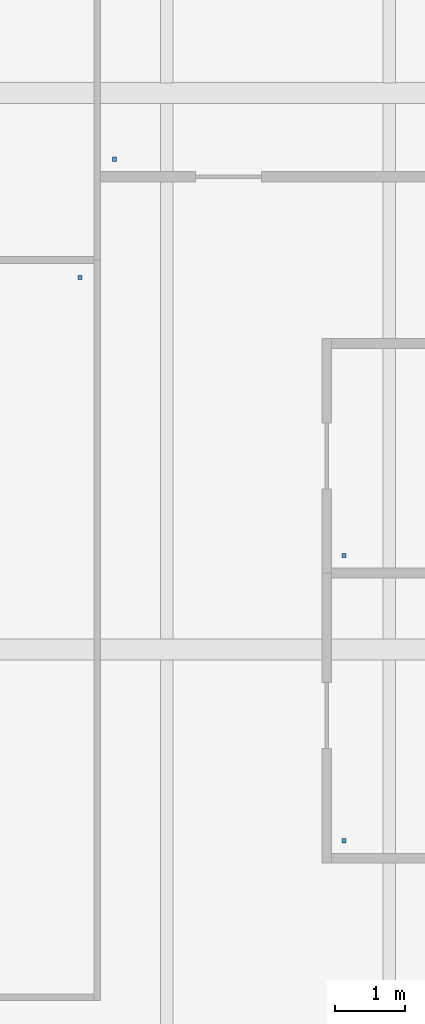
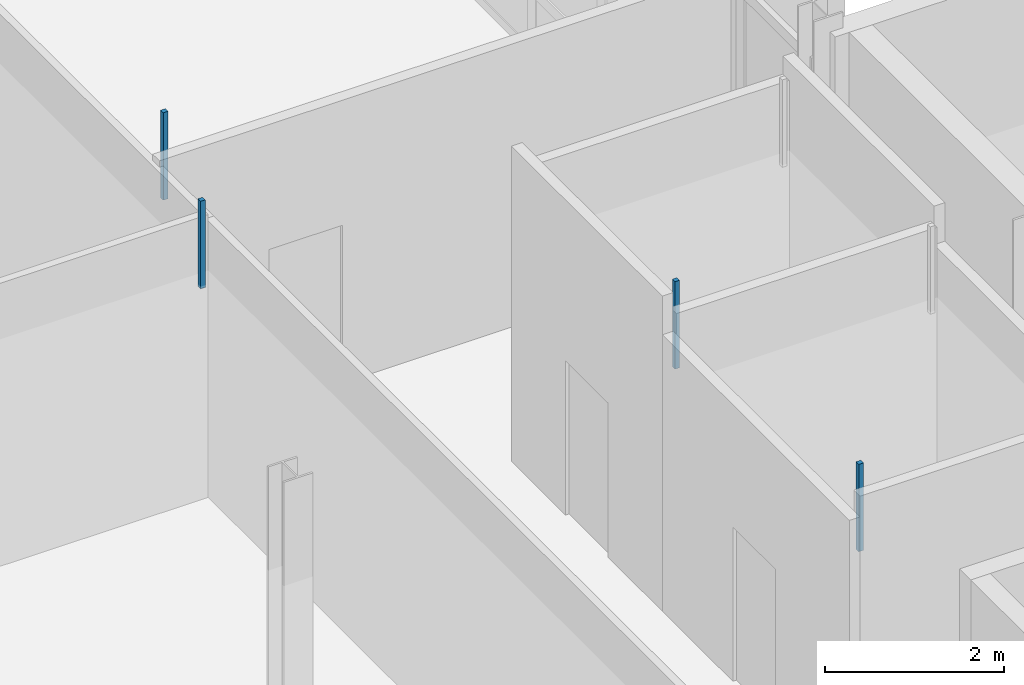
# One storey, part 71 of 107: 4 discrete accessories.
"""IFC4 building model written with IfcOpenShell, lengths in metres."""

from ifc_helpers import new_model, si_unit, direction, frame, origin, place, context, subcontext, project, spatial, polyline, outline, extrude, material, type_object, element, save


model = new_model("IFC4")

# Units and contexts
model_context = context("Model", 3, precision=1e-05, world=origin(), true_north=direction((0.0, 1.0)))
body_context = subcontext(model_context, "Body", "Model", "MODEL_VIEW")
ifc_project = project(units=[si_unit("LENGTHUNIT", "METRE"), si_unit("AREAUNIT", "SQUARE_METRE"), si_unit("VOLUMEUNIT", "CUBIC_METRE"), si_unit("PLANEANGLEUNIT", "RADIAN"), si_unit("MASSUNIT", "GRAM", prefix="KILO")], contexts=[model_context])

# Site, building, storey
site_placement = place(None, origin())
site = spatial("IfcSite", under=ifc_project, at=site_placement, CompositionType="ELEMENT")
building_placement = place(site_placement, origin())
building = spatial("IfcBuilding", under=site, at=building_placement, Name="Dunescarp Central Library", CompositionType="ELEMENT")
storey_placement = place(building_placement, frame((0.0, 0.0, 5.10009765625)))
storey = spatial("IfcBuildingStorey", under=building, at=storey_placement, Name="L01", CompositionType="ELEMENT", Elevation=5.10009765625)

# Discrete accessories
ifc_material = material(Name="Stainless steel Grade 316L", Category="steel")
discrete_accessory_type = type_object("IfcDiscreteAccessoryType", Name="ARC-ACC-BRK", PredefinedType="BRACKET", material=ifc_material)
discrete_accessory_1_placement = place(storey_placement, frame((0.0, 0.0, 3.059814453125)))
element("IfcDiscreteAccessory", 1, at=discrete_accessory_1_placement, inside=storey, type_object=discrete_accessory_type, Name="L01 ceiling hanger CLG-L01-007-H1", PredefinedType="BRACKET", context=body_context, shape_type="SweptSolid", body=[
    extrude(outline(polyline([(29.719970703125, 18.02001953125), (29.780029296875, 18.02001953125), (29.780029296875, 18.080078125), (29.719970703125, 18.080078125), (29.719970703125, 18.02001953125)])), origin(), (0.0, 0.0, 1.0), 1.190185546875),
])
discrete_accessory_2_placement = place(storey_placement, frame((0.0, 0.0, 3.059814453125)))
element("IfcDiscreteAccessory", 2, at=discrete_accessory_2_placement, inside=storey, type_object=discrete_accessory_type, Name="L01 ceiling hanger CLG-L01-008-H1", PredefinedType="BRACKET", context=body_context, shape_type="SweptSolid", body=[
    extrude(outline(polyline([(29.719970703125, 22.1201171875), (29.780029296875, 22.1201171875), (29.780029296875, 22.179931640625), (29.719970703125, 22.179931640625), (29.719970703125, 22.1201171875)])), origin(), (0.0, 0.0, 1.0), 1.190185546875),
])
discrete_accessory_3_placement = place(storey_placement, frame((0.0, 0.0, 3.059814453125)))
element("IfcDiscreteAccessory", 3, at=discrete_accessory_3_placement, inside=storey, type_object=discrete_accessory_type, Name="L01 ceiling hanger CLG-L01-012-H2", PredefinedType="BRACKET", context=body_context, shape_type="SweptSolid", body=[
    extrude(outline(polyline([(25.919921875, 26.1201171875), (25.97998046875, 26.1201171875), (25.97998046875, 26.179931640625), (25.919921875, 26.179931640625), (25.919921875, 26.1201171875)])), origin(), (0.0, 0.0, 1.0), 1.190185546875),
])
discrete_accessory_4_placement = place(storey_placement, frame((0.0, 0.0, 3.059814453125)))
element("IfcDiscreteAccessory", 4, at=discrete_accessory_4_placement, inside=storey, type_object=discrete_accessory_type, Name="L01 ceiling hanger CLG-L01-014-H1", PredefinedType="BRACKET", context=body_context, shape_type="SweptSolid", body=[
    extrude(outline(polyline([(26.419921875, 27.820068359375), (26.47998046875, 27.820068359375), (26.47998046875, 27.8798828125), (26.419921875, 27.8798828125), (26.419921875, 27.820068359375)])), origin(), (0.0, 0.0, 1.0), 1.190185546875),
])

save(model, "model.ifc")
